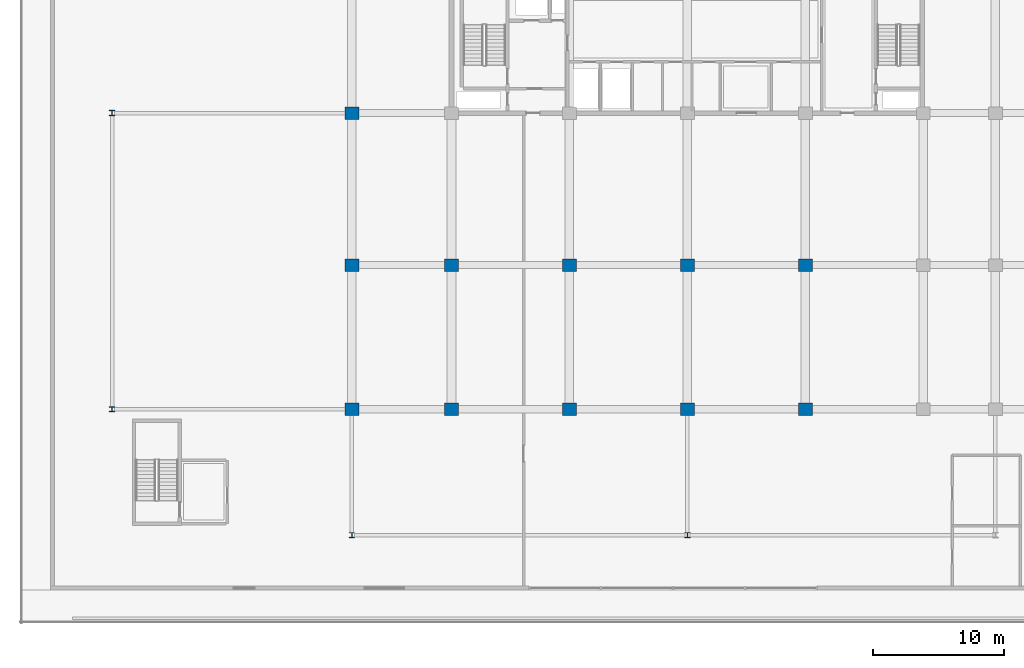
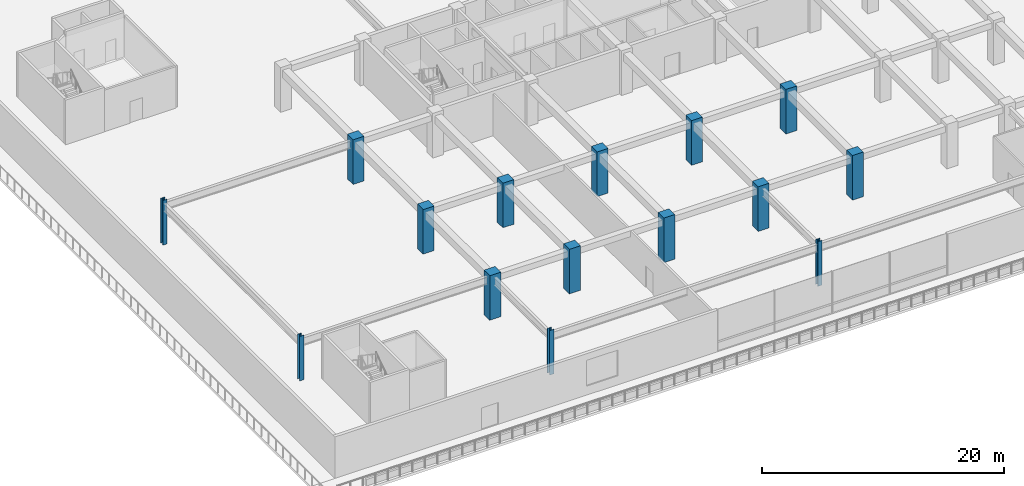
# One storey, part 1 of 40: 15 columns.
"""IFC4 building model written with IfcOpenShell, lengths in metres."""

from ifc_helpers import new_model, si_unit, direction, frame, origin, origin_2d, place, context, subcontext, project, spatial, rectangle, i_section, extrude, material, material_profile, profile_set, type_object, element, save


model = new_model("IFC4")

# Units and contexts
model_context = context("Model", 3, precision=1e-05, world=origin(), true_north=direction((0.0, 1.0)))
body_context = subcontext(model_context, "Body", "Model", "MODEL_VIEW")
ifc_project = project(units=[si_unit("LENGTHUNIT", "METRE"), si_unit("AREAUNIT", "SQUARE_METRE"), si_unit("VOLUMEUNIT", "CUBIC_METRE"), si_unit("PLANEANGLEUNIT", "RADIAN"), si_unit("MASSUNIT", "GRAM", prefix="KILO")], contexts=[model_context])

# Site, building, storey
site_placement = place(None, origin())
site = spatial("IfcSite", under=ifc_project, at=site_placement, CompositionType="ELEMENT")
building_placement = place(site_placement, origin())
building = spatial("IfcBuilding", under=site, at=building_placement, Name="Korimba Cascade Residences", CompositionType="ELEMENT")
storey_placement = place(building_placement, frame((0.0, 0.0, 14.5)))
storey = spatial("IfcBuildingStorey", under=building, at=storey_placement, Name="L03", CompositionType="ELEMENT", Elevation=14.5)

# Columns
ifc_material_1 = material(Name="Concrete C80/95", Category="concrete")
ifc_material_profile_1 = material_profile(ifc_material_1, rectangle(XDim=1.050048828125, YDim=0.949951171875, at=origin_2d()), Name="Concrete C80/95")
ifc_profile_set_1 = profile_set([ifc_material_profile_1], Name="Concrete C80/95")
column_type_1 = type_object("IfcColumnType", Name="COL-RC-1050", PredefinedType="COLUMN", material=ifc_profile_set_1)
for number, where, z_axis, x_axis, name in (
    (1, (74.5, -4.199951171875, 0.0), (0.0, 0.0, 1.0), (1.0, 0.0, 0.0), "L03 Tower 2 Column 1.1"),
    (2, (74.5, 6.800048828125, 0.0), (0.0, 0.0, 1.0), (1.0, 0.0, 0.0), "L03 Tower 2 Column 1.2"),
    (3, (74.5, 18.39990234375, 0.0), (0.0, 0.0, 1.0), (1.0, 0.0, 0.0), "L03 Tower 2 Column 1.3"),
    (4, (82.10009765625, -4.199951171875, 0.0), (0.0, 0.0, 1.0), (1.0, 0.0, 0.0), "L03 Tower 2 Column 2.1"),
    (5, (82.10009765625, 6.800048828125, 0.0), (0.0, 0.0, 1.0), (1.0, 0.0, 0.0), "L03 Tower 2 Column 2.2"),
    (6, (91.10009765625, -4.199951171875, 0.0), (0.0, 0.0, 1.0), (1.0, 0.0, 0.0), "L03 Tower 2 Column 3.1"),
    (7, (91.10009765625, 6.800048828125, 0.0), (0.0, 0.0, 1.0), (1.0, 0.0, 0.0), "L03 Tower 2 Column 3.2"),
    (8, (100.10009765625, -4.199951171875, 0.0), (0.0, 0.0, 1.0), (1.0, 0.0, 0.0), "L03 Tower 2 Column 4.1"),
    (9, (100.10009765625, 6.800048828125, 0.0), (0.0, 0.0, 1.0), (1.0, 0.0, 0.0), "L03 Tower 2 Column 4.2"),
    (10, (109.10009765625, -4.199951171875, 0.0), (0.0, 0.0, 1.0), (1.0, 0.0, 0.0), "L03 Tower 2 Column 5.1"),
    (11, (109.10009765625, 6.800048828125, 0.0), (0.0, 0.0, 1.0), (1.0, 0.0, 0.0), "L03 Tower 2 Column 5.2"),
):
    element("IfcColumn", number, at=place(storey_placement, frame(where, z_axis=z_axis, x_axis=x_axis)), inside=storey, type_object=column_type_1, Name=name, PredefinedType="COLUMN", context=body_context, shape_type="SweptSolid", body=[
        extrude(rectangle(XDim=1.050048828125, YDim=0.949951171875, at=origin_2d()), origin(), (0.0, 0.0, 1.0), 4.5),
    ])
ifc_material_2 = material(Name="Steel S355", Category="steel")
ifc_material_profile_2 = material_profile(ifc_material_2, i_section(OverallWidth=0.39892578125, OverallDepth=0.3935546875, WebThickness=0.022705078125, FlangeThickness=0.03662109375, FilletRadius=0.01513671875, at=origin_2d()), Name="Steel S355")
ifc_profile_set_2 = profile_set([ifc_material_profile_2], Name="Steel S355")
column_type_2 = type_object("IfcColumnType", Name="COL-STL-UC287", PredefinedType="COLUMN", material=ifc_profile_set_2)
for number, where, z_axis, x_axis, name in (
    (12, (56.199951171875, -4.199951171875, 0.0), (0.0, 0.0, 1.0), (1.0, 0.0, 0.0), "L03 Podium Column PCW1"),
    (13, (56.199951171875, 18.39990234375, 0.0), (0.0, 0.0, 1.0), (1.0, 0.0, 0.0), "L03 Podium Column PCW2"),
    (14, (74.5, -13.800048828125, 0.0), (0.0, 0.0, 1.0), (1.0, 0.0, 0.0), "L03 Podium Column PCS1"),
    (15, (100.10009765625, -13.800048828125, 0.0), (0.0, 0.0, 1.0), (1.0, 0.0, 0.0), "L03 Podium Column PCS2"),
):
    element("IfcColumn", number, at=place(storey_placement, frame(where, z_axis=z_axis, x_axis=x_axis)), inside=storey, type_object=column_type_2, Name=name, PredefinedType="COLUMN", context=body_context, shape_type="SweptSolid", body=[
        extrude(i_section(OverallWidth=0.39892578125, OverallDepth=0.3935546875, WebThickness=0.022705078125, FlangeThickness=0.03662109375, FilletRadius=0.01513671875, at=origin_2d()), origin(), (0.0, 0.0, 1.0), 4.5),
    ])

save(model, "model.ifc")
